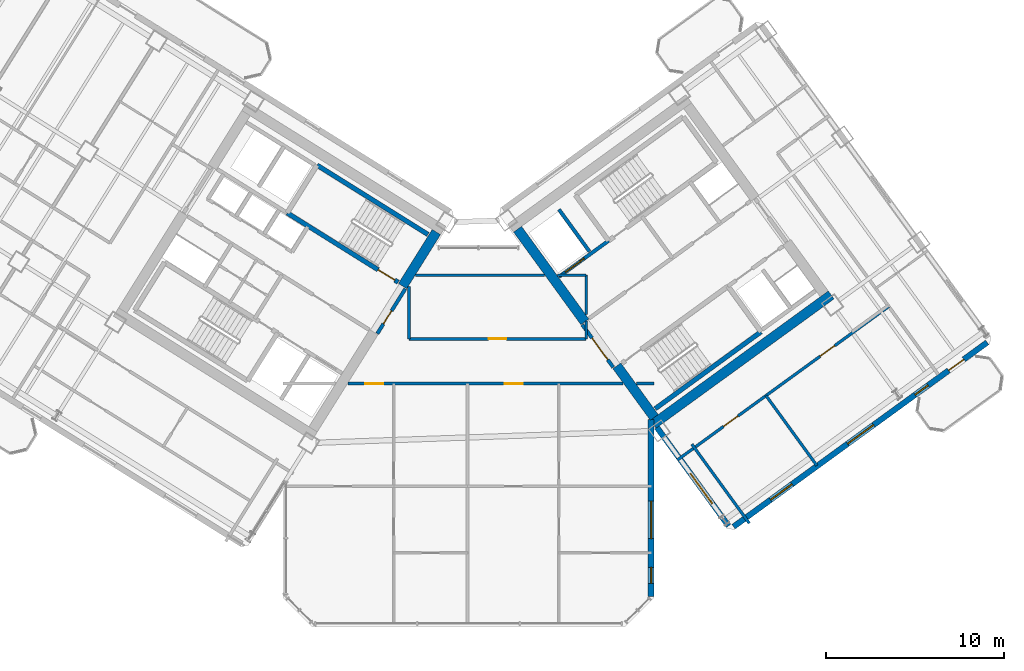
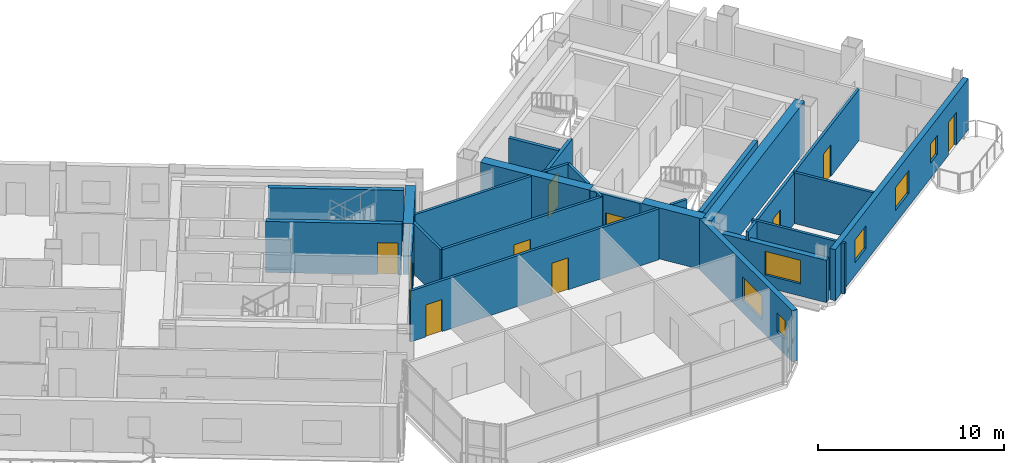
# One storey, part 19 of 25: 25 walls, 10 doors, 6 windows, 16 openings.
"""IFC4 building model written with IfcOpenShell, lengths in metres."""

from ifc_helpers import new_model, si_unit, direction, frame, frame_2d, origin, place, context, subcontext, project, spatial, rectangle, extrude, source, transform, mapped, material, layer, layer_set, type_object, element, fill, save


model = new_model("IFC4")

# Units and contexts
model_context = context("Model", 3, precision=1e-05, world=origin(), true_north=direction((0.0, 1.0)))
body_context = subcontext(model_context, "Body", "Model", "MODEL_VIEW")
ifc_project = project(units=[si_unit("LENGTHUNIT", "METRE"), si_unit("AREAUNIT", "SQUARE_METRE"), si_unit("VOLUMEUNIT", "CUBIC_METRE"), si_unit("PLANEANGLEUNIT", "RADIAN"), si_unit("MASSUNIT", "GRAM", prefix="KILO")], contexts=[model_context])

# Site, building, storey
site_placement = place(None, origin())
site = spatial("IfcSite", under=ifc_project, at=site_placement, CompositionType="ELEMENT")
building_placement = place(site_placement, origin())
building = spatial("IfcBuilding", under=site, at=building_placement, Name="Tlacorven Tower", CompositionType="ELEMENT")
storey_placement = place(building_placement, frame((0.0, 0.0, 155.10009765625)))
storey = spatial("IfcBuildingStorey", under=building, at=storey_placement, Name="L39", CompositionType="ELEMENT", Elevation=155.10009765625)

# Walls
ifc_material_1 = material(Name="Concrete C60/75", Category="concrete")
ifc_layer_1 = layer(ifc_material_1, 0.550048828125)
ifc_layer_set_1 = layer_set([ifc_layer_1], Name="Concrete C60/75")
wall_type_1 = type_object("IfcWallType", Name="WL-COR-550", PredefinedType="SHEAR", material=ifc_layer_set_1)
wall_1_placement = place(storey_placement, frame((40.194091796875, 23.92236328125, 0.0), z_axis=(0.0, 0.0, 1.0), x_axis=(-0.529888438328, -0.848067357541, 0.0)))
element("IfcWall", 1, at=wall_1_placement, inside=storey, type_object=wall_type_1, Name="L39 W core end wall E1.1", PredefinedType="SHEAR", context=body_context, shape_type="SweptSolid", body=[
    extrude(rectangle(XDim=3.574951171875, YDim=0.550048828125, at=frame_2d((1.78759765625, 0.0))), origin(), (0.0, 0.0, 1.0), 3.349853515625),
])
wall_2_placement = place(storey_placement, frame((52.35888671875, 13.1396484375, 0.0), z_axis=(0.0, 0.0, 1.0), x_axis=(0.809014896919, 0.587788139183, 0.0)))
element("IfcWall", 2, at=wall_2_placement, inside=storey, type_object=wall_type_1, Name="L39 E core shear wall S1", PredefinedType="SHEAR", context=body_context, shape_type="SweptSolid", body=[
    extrude(rectangle(XDim=12.340087890625, YDim=0.550048828125, at=frame_2d((6.169921875, 0.0))), origin(), (0.0, 0.0, 1.0), 3.349853515625),
])
wall_3_placement = place(storey_placement, frame((52.419677734375, 13.52392578125, 0.0), z_axis=(0.0, 0.0, 1.0), x_axis=(-0.587802113096, 0.809004744015, 0.0)))
element("IfcWall", 3, at=wall_3_placement, inside=storey, type_object=wall_type_1, Name="L39 E core end wall E1.1", PredefinedType="SHEAR", context=body_context, shape_type="SweptSolid", body=[
    extrude(rectangle(XDim=3.574951171875, YDim=0.550048828125, at=frame_2d((1.78759765625, 0.0))), origin(), (0.0, 0.0, 1.0), 3.349853515625),
])
wall_4_placement = place(storey_placement, frame((48.525634765625, 18.883544921875, 0.0), z_axis=(0.0, 0.0, 1.0), x_axis=(-0.587764933797, 0.809031756236, 0.0)))
element("IfcWall", 4, at=wall_4_placement, inside=storey, type_object=wall_type_1, Name="L39 E core end wall E1.2", PredefinedType="SHEAR", context=body_context, shape_type="SweptSolid", body=[
    extrude(rectangle(XDim=6.425048828125, YDim=0.550048828125, at=frame_2d((3.21240234375, 0.0))), origin(), (0.0, 0.0, 1.0), 3.349853515625),
])

# Wall, openings, doors
ifc_material_2 = material(Name="Gypsum plasterboard acoustic partition", Category="gypsum")
ifc_layer_2 = layer(ifc_material_2, 0.159912109375)
ifc_layer_set_2 = layer_set([ifc_layer_2], Name="Gypsum plasterboard acoustic partition")
wall_type_2 = type_object("IfcWallType", Name="WL-DEM-160", PredefinedType="PARTITIONING", material=ifc_layer_set_2)
wall_5_placement = place(storey_placement, frame((35.2373046875, 15.419921875, 0.0), z_axis=(0.0, 0.0, 1.0), x_axis=(1.0, 0.0, 0.0)))
wall_5 = element("IfcWall", 5, at=wall_5_placement, inside=storey, type_object=wall_type_2, Name="L39 Knuckle Corridor South Wall", PredefinedType="PARTITIONING", context=body_context, shape_type="SweptSolid", body=[
    extrude(rectangle(XDim=15.431640625, YDim=0.159912109375, at=frame_2d((7.7158203125, 0.0))), origin(), (0.0, 0.0, 1.0), 3.33984375),
])
opening_1_placement = place(wall_5_placement, frame((0.968994140625, 0.0, 0.0)))
opening_1 = element("IfcOpeningElement", 6, at=opening_1_placement, cuts=wall_5, Name="Opening D11", PredefinedType="OPENING", context=body_context, shape_type="SweptSolid", body=[
    extrude(rectangle(XDim=1.0, YDim=2.10009765625, at=frame_2d((0.5, 1.050048828125))), frame((0.0, 0.08984375, 0.0), z_axis=(0.0, -1.0, 0.0), x_axis=(1.0, 0.0, 0.0)), (0.0, 0.0, 1.0), 0.179931640625),
])
opening_2_placement = place(wall_5_placement, frame((8.798583984375, 0.0, 0.0)))
opening_2 = element("IfcOpeningElement", 7, at=opening_2_placement, cuts=wall_5, Name="Opening D11", PredefinedType="OPENING", context=body_context, shape_type="SweptSolid", body=[
    extrude(rectangle(XDim=1.0, YDim=2.10009765625, at=frame_2d((0.5, 1.050048828125))), frame((0.0, 0.08984375, 0.0), z_axis=(0.0, -1.0, 0.0), x_axis=(1.0, 0.0, 0.0)), (0.0, 0.0, 1.0), 0.179931640625),
])
ifc_material_3 = material(Name="Fire-rated steel door assembly", Category="steel")
door_type_1 = type_object("IfcDoorType", Name="DR-FLT-FD60-1000", OperationType="NOTDEFINED", PredefinedType="DOOR", material=ifc_material_3)
shared_shape_1 = source(origin(), body_context, "Body", "SweptSolid", [
    extrude(rectangle(XDim=1.0, YDim=2.10009765625, at=frame_2d((0.5, 1.050048828125))), frame((0.0, 0.02490234375, 0.0), z_axis=(0.0, -1.0, 0.0), x_axis=(1.0, 0.0, 0.0)), (0.0, 0.0, 1.0), 0.050048828125),
])
door_1_placement = place(opening_1_placement, frame((1.0, 0.0, 0.0), z_axis=(0.0, 0.0, 1.0), x_axis=(-1.0, 0.0, 0.0)))
door_1 = element("IfcDoor", 8, at=door_1_placement, inside=storey, type_object=door_type_1, Name="L39 door 051", OperationType="SINGLE_SWING_LEFT", OverallHeight=2.10009765625, OverallWidth=1.0, PredefinedType="DOOR", context=body_context, shape_type="MappedRepresentation", body=[
    mapped(shared_shape_1, transform((0.0, 0.0, 0.0), scale=1.0)),
])
fill(opening_1, door_1)
door_2_placement = place(opening_2_placement, frame((1.0, 0.0, 0.0), z_axis=(0.0, 0.0, 1.0), x_axis=(-1.0, 0.0, 0.0)))
door_2 = element("IfcDoor", 9, at=door_2_placement, inside=storey, type_object=door_type_1, Name="L39 door 056", OperationType="SINGLE_SWING_RIGHT", OverallHeight=2.10009765625, OverallWidth=1.0, PredefinedType="DOOR", context=body_context, shape_type="MappedRepresentation", body=[
    mapped(shared_shape_1, transform((0.0, 0.0, 0.0), scale=1.0)),
])
fill(opening_2, door_2)

# Wall
wall_6_placement = place(storey_placement, frame((51.41552734375, 15.419921875, 0.0), z_axis=(0.0, 0.0, 1.0), x_axis=(1.0, 0.0, 0.0)))
element("IfcWall", 10, at=wall_6_placement, inside=storey, type_object=wall_type_2, Name="L39 Knuckle Corridor South Wall", PredefinedType="PARTITIONING", context=body_context, shape_type="SweptSolid", body=[
    extrude(rectangle(XDim=0.984375, YDim=0.159912109375, at=frame_2d((0.4921875, 0.0))), origin(), (0.0, 0.0, 1.0), 3.33984375),
])

# Wall, opening, door
wall_7_placement = place(storey_placement, frame((38.64990234375, 17.929931640625, 0.0), z_axis=(0.0, 0.0, 1.0), x_axis=(1.0, 0.0, 0.0)))
wall_7 = element("IfcWall", 11, at=wall_7_placement, inside=storey, type_object=wall_type_2, Name="L39 partition 75", PredefinedType="PARTITIONING", context=body_context, shape_type="SweptSolid", body=[
    extrude(rectangle(XDim=9.9501953125, YDim=0.159912109375, at=frame_2d((4.97509765625, 0.0))), origin(), (0.0, 0.0, 1.0), 3.33984375),
])
opening_3_placement = place(wall_7_placement, frame((4.47509765625, 0.0, 0.0)))
opening_3 = element("IfcOpeningElement", 12, at=opening_3_placement, cuts=wall_7, Name="Opening D11", PredefinedType="OPENING", context=body_context, shape_type="SweptSolid", body=[
    extrude(rectangle(XDim=1.0, YDim=2.10009765625, at=frame_2d((0.5, 1.050048828125))), frame((0.0, 0.08984375, 0.0), z_axis=(0.0, -1.0, 0.0), x_axis=(1.0, 0.0, 0.0)), (0.0, 0.0, 1.0), 0.179931640625),
])
door_3_placement = place(opening_3_placement, origin())
door_3 = element("IfcDoor", 13, at=door_3_placement, inside=storey, type_object=door_type_1, Name="L39 door 046", OperationType="SINGLE_SWING_RIGHT", OverallHeight=2.10009765625, OverallWidth=1.0, PredefinedType="DOOR", context=body_context, shape_type="MappedRepresentation", body=[
    mapped(shared_shape_1, transform((0.0, 0.0, 0.0), scale=1.0)),
])
fill(opening_3, door_3)

# Walls
wall_8_placement = place(storey_placement, frame((38.64990234375, 17.929931640625, 0.0), z_axis=(0.0, 0.0, 1.0), x_axis=(0.0, 1.0, 0.0)))
element("IfcWall", 14, at=wall_8_placement, inside=storey, type_object=wall_type_2, Name="L39 partition 76", PredefinedType="PARTITIONING", context=body_context, shape_type="SweptSolid", body=[
    extrude(rectangle(XDim=2.951416015625, YDim=0.159912109375, at=frame_2d((1.4755859375, 0.0))), origin(), (0.0, 0.0, 1.0), 3.33984375),
])
wall_9_placement = place(storey_placement, frame((48.60009765625, 17.929931640625, 0.0), z_axis=(0.0, 0.0, 1.0), x_axis=(0.0, 1.0, 0.0)))
element("IfcWall", 15, at=wall_9_placement, inside=storey, type_object=wall_type_2, Name="L39 partition 77", PredefinedType="PARTITIONING", context=body_context, shape_type="SweptSolid", body=[
    extrude(rectangle(XDim=0.99267578125, YDim=0.159912109375, at=frame_2d((0.496337890625, 0.0))), origin(), (0.0, 0.0, 1.0), 3.33984375),
])
wall_10_placement = place(storey_placement, frame((48.60009765625, 19.295166015625, 0.0), z_axis=(0.0, 0.0, 1.0), x_axis=(0.0, 1.0, 0.0)))
element("IfcWall", 16, at=wall_10_placement, inside=storey, type_object=wall_type_2, Name="L39 partition 77", PredefinedType="PARTITIONING", context=body_context, shape_type="SweptSolid", body=[
    extrude(rectangle(XDim=2.204833984375, YDim=0.159912109375, at=frame_2d((1.1025390625, 0.0))), origin(), (0.0, 0.0, 1.0), 3.33984375),
])
wall_11_placement = place(storey_placement, frame((39.03662109375, 21.5, 0.0), z_axis=(0.0, 0.0, 1.0), x_axis=(1.0, 0.0, 0.0)))
element("IfcWall", 17, at=wall_11_placement, inside=storey, type_object=wall_type_2, Name="L39 partition 78", PredefinedType="PARTITIONING", context=body_context, shape_type="SweptSolid", body=[
    extrude(rectangle(XDim=7.21484375, YDim=0.159912109375, at=frame_2d((3.607421875, 0.0))), origin(), (0.0, 0.0, 1.0), 3.33984375),
])
wall_12_placement = place(storey_placement, frame((46.998046875, 21.5, 0.0), z_axis=(0.0, 0.0, 1.0), x_axis=(1.0, 0.0, 0.0)))
element("IfcWall", 18, at=wall_12_placement, inside=storey, type_object=wall_type_2, Name="L39 partition 78", PredefinedType="PARTITIONING", context=body_context, shape_type="SweptSolid", body=[
    extrude(rectangle(XDim=1.60205078125, YDim=0.159912109375, at=frame_2d((0.801025390625, 0.0))), origin(), (0.0, 0.0, 1.0), 3.33984375),
])

# Wall, openings, doors
wall_13_placement = place(storey_placement, frame((53.70458984375, 11.1259765625, 0.0), z_axis=(0.0, 0.0, 1.0), x_axis=(0.809014504436, 0.587788679384, 0.0)))
wall_13 = element("IfcWall", 19, at=wall_13_placement, inside=storey, type_object=wall_type_2, Name="L39 partition 98", PredefinedType="PARTITIONING", context=body_context, shape_type="SweptSolid", body=[
    extrude(rectangle(XDim=14.669921875, YDim=0.159912109375, at=frame_2d((7.3349609375, 0.0))), origin(), (0.0, 0.0, 1.0), 3.33984375),
])
opening_4_placement = place(wall_13_placement, frame((3.215087890625, 0.0, 0.0)))
opening_4 = element("IfcOpeningElement", 20, at=opening_4_placement, cuts=wall_13, Name="Opening D11", PredefinedType="OPENING", context=body_context, shape_type="SweptSolid", body=[
    extrude(rectangle(XDim=1.0, YDim=2.10009765625, at=frame_2d((0.5, 1.050048828125))), frame((0.0, 0.08984375, 0.0), z_axis=(0.0, -1.0, 0.0), x_axis=(1.0, 0.0, 0.0)), (0.0, 0.0, 1.0), 0.179931640625),
])
opening_5_placement = place(wall_13_placement, frame((9.9150390625, 0.0, 0.0)))
opening_5 = element("IfcOpeningElement", 21, at=opening_5_placement, cuts=wall_13, Name="Opening D11", PredefinedType="OPENING", context=body_context, shape_type="SweptSolid", body=[
    extrude(rectangle(XDim=1.0, YDim=2.10009765625, at=frame_2d((0.5, 1.050048828125))), frame((0.0, 0.08984375, 0.0), z_axis=(0.0, -1.0, 0.0), x_axis=(1.0, 0.0, 0.0)), (0.0, 0.0, 1.0), 0.179931640625),
])
door_4_placement = place(opening_4_placement, origin())
door_4 = element("IfcDoor", 22, at=door_4_placement, inside=storey, type_object=door_type_1, Name="L39 door 064", OperationType="SINGLE_SWING_RIGHT", OverallHeight=2.10009765625, OverallWidth=1.0, PredefinedType="DOOR", context=body_context, shape_type="MappedRepresentation", body=[
    mapped(shared_shape_1, transform((0.0, 0.0, 0.0), scale=1.0)),
])
fill(opening_4, door_4)
door_5_placement = place(opening_5_placement, origin())
door_5 = element("IfcDoor", 23, at=door_5_placement, inside=storey, type_object=door_type_1, Name="L39 door 065", OperationType="SINGLE_SWING_LEFT", OverallHeight=2.10009765625, OverallWidth=1.0, PredefinedType="DOOR", context=body_context, shape_type="MappedRepresentation", body=[
    mapped(shared_shape_1, transform((0.0, 0.0, 0.0), scale=1.0)),
])
fill(opening_5, door_5)

# Walls
wall_14_placement = place(storey_placement, frame((57.747314453125, 7.586181640625, 0.0), z_axis=(0.0, 0.0, 1.0), x_axis=(-0.587784893399, 0.809017255126, 0.0)))
element("IfcWall", 24, at=wall_14_placement, inside=storey, type_object=wall_type_2, Name="L39 EC West Throat Wall", PredefinedType="PARTITIONING", context=body_context, shape_type="SweptSolid", body=[
    extrude(rectangle(XDim=5.480224609375, YDim=0.159912109375, at=frame_2d((2.740234375, 0.0))), origin(), (0.0, 0.0, 1.0), 3.33984375),
])
wall_15_placement = place(storey_placement, frame((61.538818359375, 10.822998046875, 0.0), z_axis=(0.0, 0.0, 1.0), x_axis=(-0.587785532001, 0.809016791155, 0.0)))
element("IfcWall", 25, at=wall_15_placement, inside=storey, type_object=wall_type_2, Name="L39 EC Demising Wall 1", PredefinedType="PARTITIONING", context=body_context, shape_type="SweptSolid", body=[
    extrude(rectangle(XDim=4.85009765625, YDim=0.159912109375, at=frame_2d((2.425048828125, 0.0))), origin(), (0.0, 0.0, 1.0), 3.33984375),
])

# Wall, openings, door, windows
ifc_material_4 = material(Name="Precast concrete C45/55", Category="concrete")
ifc_layer_3 = layer(ifc_material_4, 0.320068359375)
ifc_layer_set_3 = layer_set([ifc_layer_3], Name="Precast concrete C45/55")
wall_type_3 = type_object("IfcWallType", Name="WL-EXT-320", PredefinedType="STANDARD", material=ifc_layer_set_3)
wall_16_placement = place(storey_placement, frame((71.097900390625, 17.73095703125, 0.0), z_axis=(0.0, 0.0, 1.0), x_axis=(-0.809021120468, -0.587779573171, 0.0)))
wall_16 = element("IfcWall", 26, at=wall_16_placement, inside=storey, type_object=wall_type_3, Name="L39 Masonry-Frame Recessed Facade Wall 6", PredefinedType="STANDARD", context=body_context, shape_type="SweptSolid", body=[
    extrude(rectangle(XDim=17.587646484375, YDim=0.320068359375, at=frame_2d((8.7939453125, 0.0))), origin(), (0.0, 0.0, 1.0), 3.349853515625),
])
opening_6_placement = place(wall_16_placement, frame((1.623779296875, 0.0, 0.0)))
opening_6 = element("IfcOpeningElement", 27, at=opening_6_placement, cuts=wall_16, Name="Opening D06", PredefinedType="OPENING", context=body_context, shape_type="SweptSolid", body=[
    extrude(rectangle(XDim=1.050048828125, YDim=2.14990234375, at=frame_2d((0.52490234375, 1.074951171875))), frame((0.0, 0.169921875, 0.0), z_axis=(0.0, -1.0, 0.0), x_axis=(1.0, 0.0, 0.0)), (0.0, 0.0, 1.0), 0.340087890625),
])
opening_7_placement = place(wall_16_placement, frame((4.103759765625, 0.0, 1.0)))
opening_7 = element("IfcOpeningElement", 28, at=opening_7_placement, cuts=wall_16, Name="Opening WN05", PredefinedType="OPENING", context=body_context, shape_type="SweptSolid", body=[
    extrude(rectangle(XDim=0.89990234375, YDim=1.25, at=frame_2d((0.449951171875, 0.625))), frame((0.0, 0.169921875, 0.0), z_axis=(0.0, -1.0, 0.0), x_axis=(1.0, 0.0, 0.0)), (0.0, 0.0, 1.0), 0.340087890625),
])
opening_8_placement = place(wall_16_placement, frame((7.878662109375, 0.0, 0.85009765625)))
opening_8 = element("IfcOpeningElement", 29, at=opening_8_placement, cuts=wall_16, Name="Opening WN01", PredefinedType="OPENING", context=body_context, shape_type="SweptSolid", body=[
    extrude(rectangle(XDim=1.800048828125, YDim=1.5, at=frame_2d((0.89990234375, 0.75))), frame((0.0, 0.169921875, 0.0), z_axis=(0.0, -1.0, 0.0), x_axis=(1.0, 0.0, 0.0)), (0.0, 0.0, 1.0), 0.340087890625),
])
opening_9_placement = place(wall_16_placement, frame((13.52880859375, 0.0, 0.85009765625)))
opening_9 = element("IfcOpeningElement", 30, at=opening_9_placement, cuts=wall_16, Name="Opening WN02", PredefinedType="OPENING", context=body_context, shape_type="SweptSolid", body=[
    extrude(rectangle(XDim=1.5, YDim=1.5, at=frame_2d((0.75, 0.75))), frame((0.0, 0.169921875, 0.0), z_axis=(0.0, -1.0, 0.0), x_axis=(1.0, 0.0, 0.0)), (0.0, 0.0, 1.0), 0.340087890625),
])
ifc_material_5 = material(Name="Powder-coated aluminium and timber door", Category="wood")
door_type_2 = type_object("IfcDoorType", Name="DR-EXT-BALC-1050", OperationType="NOTDEFINED", PredefinedType="DOOR", material=ifc_material_5)
shared_shape_2 = source(origin(), body_context, "Body", "SweptSolid", [
    extrude(rectangle(XDim=1.050048828125, YDim=2.14990234375, at=frame_2d((0.52490234375, 1.074951171875))), frame((0.0, 0.02490234375, 0.0), z_axis=(0.0, -1.0, 0.0), x_axis=(1.0, 0.0, 0.0)), (0.0, 0.0, 1.0), 0.050048828125),
])
door_6_placement = place(opening_6_placement, origin())
door_6 = element("IfcDoor", 31, at=door_6_placement, inside=storey, type_object=door_type_2, Name="L39 Outdoor Access Door BAL-L39-E-OUT", OperationType="SINGLE_SWING_LEFT", OverallHeight=2.14990234375, OverallWidth=1.050048828125, PredefinedType="DOOR", context=body_context, shape_type="MappedRepresentation", body=[
    mapped(shared_shape_2, transform((0.0, 0.0, 0.0), scale=1.0)),
])
fill(opening_6, door_6)
ifc_material_6 = material(Name="Dark solar low-E double glazing in anodised aluminium frame", Category="aluminium")
window_type_1 = type_object("IfcWindowType", Name="WN-APT-1800X1650", PartitioningType="SINGLE_PANEL", PredefinedType="WINDOW", material=ifc_material_6)
shared_shape_3 = source(origin(), body_context, "Body", "SweptSolid", [
    extrude(rectangle(XDim=1.800048828125, YDim=1.5, at=frame_2d((0.89990234375, 0.75))), frame((0.0, 0.030029296875, 0.0), z_axis=(0.0, -1.0, 0.0), x_axis=(1.0, 0.0, 0.0)), (0.0, 0.0, 1.0), 0.06005859375),
])
window_1_placement = place(opening_8_placement, origin())
window_1 = element("IfcWindow", 32, at=window_1_placement, inside=storey, type_object=window_type_1, Name="L39 Recessed Masonry-Frame Window L39-06.2", OverallHeight=1.5, OverallWidth=1.800048828125, PartitioningType="SINGLE_PANEL", PredefinedType="WINDOW", context=body_context, shape_type="MappedRepresentation", body=[
    mapped(shared_shape_3, transform((0.0, 0.0, 0.0), scale=1.0)),
])
fill(opening_8, window_1)
window_type_2 = type_object("IfcWindowType", Name="WN-APT-1500X1650", PartitioningType="SINGLE_PANEL", PredefinedType="WINDOW", material=ifc_material_6)
shared_shape_4 = source(origin(), body_context, "Body", "SweptSolid", [
    extrude(rectangle(XDim=1.5, YDim=1.5, at=frame_2d((0.75, 0.75))), frame((0.0, 0.030029296875, 0.0), z_axis=(0.0, -1.0, 0.0), x_axis=(1.0, 0.0, 0.0)), (0.0, 0.0, 1.0), 0.06005859375),
])
window_2_placement = place(opening_9_placement, origin())
window_2 = element("IfcWindow", 33, at=window_2_placement, inside=storey, type_object=window_type_2, Name="L39 Recessed Masonry-Frame Window L39-06.3", OverallHeight=1.5, OverallWidth=1.5, PartitioningType="SINGLE_PANEL", PredefinedType="WINDOW", context=body_context, shape_type="MappedRepresentation", body=[
    mapped(shared_shape_4, transform((0.0, 0.0, 0.0), scale=1.0)),
])
fill(opening_9, window_2)
window_type_3 = type_object("IfcWindowType", Name="WN-APT-0900X1350", PartitioningType="SINGLE_PANEL", PredefinedType="WINDOW", material=ifc_material_6)
shared_shape_5 = source(origin(), body_context, "Body", "SweptSolid", [
    extrude(rectangle(XDim=0.89990234375, YDim=1.25, at=frame_2d((0.449951171875, 0.625))), frame((0.0, 0.030029296875, 0.0), z_axis=(0.0, -1.0, 0.0), x_axis=(1.0, 0.0, 0.0)), (0.0, 0.0, 1.0), 0.06005859375),
])
window_3_placement = place(opening_7_placement, origin())
window_3 = element("IfcWindow", 34, at=window_3_placement, inside=storey, type_object=window_type_3, Name="L39 Recessed Masonry-Frame Window L39-06.1", OverallHeight=1.25, OverallWidth=0.89990234375, PartitioningType="SINGLE_PANEL", PredefinedType="WINDOW", context=body_context, shape_type="MappedRepresentation", body=[
    mapped(shared_shape_5, transform((0.0, 0.0, 0.0), scale=1.0)),
])
fill(opening_7, window_3)

# Wall, opening, window
wall_17_placement = place(storey_placement, frame((56.5810546875, 7.43896484375, 0.0), z_axis=(0.0, 0.0, 1.0), x_axis=(-0.587771678454, 0.809026856172, 0.0)))
wall_17 = element("IfcWall", 35, at=wall_17_placement, inside=storey, type_object=wall_type_3, Name="L39 Masonry-Frame Recessed Facade Wall 7", PredefinedType="STANDARD", context=body_context, shape_type="SweptSolid", body=[
    extrude(rectangle(XDim=6.82373046875, YDim=0.320068359375, at=frame_2d((3.411865234375, 0.0))), origin(), (0.0, 0.0, 1.0), 2.77490234375),
])
opening_10_placement = place(wall_17_placement, frame((1.53125, 0.0, 0.800048828125)))
opening_10 = element("IfcOpeningElement", 36, at=opening_10_placement, cuts=wall_17, Name="Opening WN04", PredefinedType="OPENING", context=body_context, shape_type="SweptSolid", body=[
    extrude(rectangle(XDim=2.10009765625, YDim=1.550048828125, at=frame_2d((1.050048828125, 0.77490234375))), frame((0.0, 0.169921875, 0.0), z_axis=(0.0, -1.0, 0.0), x_axis=(1.0, 0.0, 0.0)), (0.0, 0.0, 1.0), 0.340087890625),
])
window_type_4 = type_object("IfcWindowType", Name="WN-APT-2100X1750", PartitioningType="SINGLE_PANEL", PredefinedType="WINDOW", material=ifc_material_6)
shared_shape_6 = source(origin(), body_context, "Body", "SweptSolid", [
    extrude(rectangle(XDim=2.10009765625, YDim=1.550048828125, at=frame_2d((1.050048828125, 0.77490234375))), frame((0.0, 0.030029296875, 0.0), z_axis=(0.0, -1.0, 0.0), x_axis=(1.0, 0.0, 0.0)), (0.0, 0.0, 1.0), 0.06005859375),
])
window_4_placement = place(opening_10_placement, origin())
window_4 = element("IfcWindow", 37, at=window_4_placement, inside=storey, type_object=window_type_4, Name="L39 Recessed Masonry-Frame Window L39-07.1", OverallHeight=1.550048828125, OverallWidth=2.10009765625, PartitioningType="SINGLE_PANEL", PredefinedType="WINDOW", context=body_context, shape_type="MappedRepresentation", body=[
    mapped(shared_shape_6, transform((0.0, 0.0, 0.0), scale=1.0)),
])
fill(opening_10, window_4)

# Wall, openings, windows
wall_18_placement = place(storey_placement, frame((52.239990234375, 13.4140625, 0.0), z_axis=(0.0, 0.0, 1.0), x_axis=(0.0, -1.0, 0.0)))
wall_18 = element("IfcWall", 38, at=wall_18_placement, inside=storey, type_object=wall_type_3, Name="L39 Masonry-Frame Recessed Facade Wall 8", PredefinedType="STANDARD", context=body_context, shape_type="SweptSolid", body=[
    extrude(rectangle(XDim=9.94775390625, YDim=0.320068359375, at=frame_2d((4.973876953125, 0.0))), origin(), (0.0, 0.0, 1.0), 3.349853515625),
])
opening_11_placement = place(wall_18_placement, frame((4.58642578125, 0.0, 0.800048828125)))
opening_11 = element("IfcOpeningElement", 39, at=opening_11_placement, cuts=wall_18, Name="Opening WN04", PredefinedType="OPENING", context=body_context, shape_type="SweptSolid", body=[
    extrude(rectangle(XDim=2.10009765625, YDim=1.550048828125, at=frame_2d((1.050048828125, 0.77490234375))), frame((0.0, 0.169921875, 0.0), z_axis=(0.0, -1.0, 0.0), x_axis=(1.0, 0.0, 0.0)), (0.0, 0.0, 1.0), 0.340087890625),
])
opening_12_placement = place(wall_18_placement, frame((8.29833984375, 0.0, 1.0)))
opening_12 = element("IfcOpeningElement", 40, at=opening_12_placement, cuts=wall_18, Name="Opening WN05", PredefinedType="OPENING", context=body_context, shape_type="SweptSolid", body=[
    extrude(rectangle(XDim=0.89990234375, YDim=1.25, at=frame_2d((0.449951171875, 0.625))), frame((0.0, 0.169921875, 0.0), z_axis=(0.0, -1.0, 0.0), x_axis=(1.0, 0.0, 0.0)), (0.0, 0.0, 1.0), 0.340087890625),
])
window_5_placement = place(opening_11_placement, origin())
window_5 = element("IfcWindow", 41, at=window_5_placement, inside=storey, type_object=window_type_4, Name="L39 Recessed Masonry-Frame Window L39-08.1", OverallHeight=1.550048828125, OverallWidth=2.10009765625, PartitioningType="SINGLE_PANEL", PredefinedType="WINDOW", context=body_context, shape_type="MappedRepresentation", body=[
    mapped(shared_shape_6, transform((0.0, 0.0, 0.0), scale=1.0)),
])
fill(opening_11, window_5)
window_6_placement = place(opening_12_placement, origin())
window_6 = element("IfcWindow", 42, at=window_6_placement, inside=storey, type_object=window_type_3, Name="L39 Recessed Masonry-Frame Window L39-08.2", OverallHeight=1.25, OverallWidth=0.89990234375, PartitioningType="SINGLE_PANEL", PredefinedType="WINDOW", context=body_context, shape_type="MappedRepresentation", body=[
    mapped(shared_shape_5, transform((0.0, 0.0, 0.0), scale=1.0)),
])
fill(opening_12, window_6)

# Wall, opening, door
ifc_material_7 = material(Name="Concrete C40/50", Category="concrete")
ifc_layer_4 = layer(ifc_material_7, 0.199951171875)
ifc_layer_set_4 = layer_set([ifc_layer_4], Name="Concrete C40/50")
wall_type_4 = type_object("IfcWallType", Name="WL-SHF-200", PredefinedType="STANDARD", material=ifc_layer_set_4)
wall_19_placement = place(storey_placement, frame((47.0654296875, 21.4072265625, 0.0), z_axis=(0.0, 0.0, 1.0), x_axis=(0.809032984992, 0.587763242466, 0.0)))
wall_19 = element("IfcWall", 43, at=wall_19_placement, inside=storey, type_object=wall_type_4, Name="L39 Core E Firefighting Lift Shaft Front Wall", PredefinedType="STANDARD", context=body_context, shape_type="SweptSolid", body=[
    extrude(rectangle(XDim=3.447998046875, YDim=0.199951171875, at=frame_2d((1.72412109375, 0.0))), origin(), (0.0, 0.0, 1.0), 3.33984375),
])
opening_13_placement = place(wall_19_placement, frame((0.4580078125, 0.0, 0.0)))
opening_13 = element("IfcOpeningElement", 44, at=opening_13_placement, cuts=wall_19, Name="Opening LD03", PredefinedType="OPENING", context=body_context, shape_type="SweptSolid", body=[
    extrude(rectangle(XDim=1.300048828125, YDim=2.199951171875, at=frame_2d((0.64990234375, 1.10009765625))), frame((0.0, 0.10986328125, 0.0), z_axis=(0.0, -1.0, 0.0), x_axis=(1.0, 0.0, 0.0)), (0.0, 0.0, 1.0), 0.219970703125),
])
door_type_3 = type_object("IfcDoorType", Name="DR-LFT-SLID-1300", OperationType="DOUBLE_DOOR_SLIDING", PredefinedType="DOOR", material=ifc_material_3)
shared_shape_7 = source(origin(), body_context, "Body", "SweptSolid", [
    extrude(rectangle(XDim=1.300048828125, YDim=2.199951171875, at=frame_2d((0.64990234375, 1.10009765625))), frame((0.0, 0.02490234375, 0.0), z_axis=(0.0, -1.0, 0.0), x_axis=(1.0, 0.0, 0.0)), (0.0, 0.0, 1.0), 0.050048828125),
])
door_7_placement = place(opening_13_placement, origin())
door_7 = element("IfcDoor", 45, at=door_7_placement, inside=storey, type_object=door_type_3, Name="L39 Lift FFL-E1 Sliding Landing Door", OperationType="DOUBLE_DOOR_SLIDING", OverallHeight=2.199951171875, OverallWidth=1.300048828125, PredefinedType="DOOR", context=body_context, shape_type="MappedRepresentation", body=[
    mapped(shared_shape_7, transform((0.0, 0.0, 0.0), scale=1.0)),
])
fill(opening_13, door_7)

# Wall
wall_20_placement = place(storey_placement, frame((48.78564453125, 22.830078125, 0.0), z_axis=(0.0, 0.0, 1.0), x_axis=(-0.587783856777, 0.809018008275, 0.0)))
element("IfcWall", 46, at=wall_20_placement, inside=storey, type_object=wall_type_4, Name="L39 partition 36", PredefinedType="STANDARD", context=body_context, shape_type="SweptSolid", body=[
    extrude(rectangle(XDim=2.919921875, YDim=0.199951171875, at=frame_2d((1.4599609375, 0.0))), origin(), (0.0, 0.0, 1.0), 3.33984375),
])

# Wall, opening, door
wall_21_placement = place(storey_placement, frame((38.451416015625, 20.737060546875, 0.0), z_axis=(0.0, 0.0, 1.0), x_axis=(-0.529924799939, -0.848044637038, 0.0)))
wall_21 = element("IfcWall", 47, at=wall_21_placement, inside=storey, type_object=wall_type_4, Name="L39 partition 73", PredefinedType="STANDARD", context=body_context, shape_type="SweptSolid", body=[
    extrude(rectangle(XDim=2.9599609375, YDim=0.199951171875, at=frame_2d((1.47998046875, 0.0))), origin(), (0.0, 0.0, 1.0), 3.33984375),
])
opening_14_placement = place(wall_21_placement, frame((1.4599609375, 0.0, 0.0)))
opening_14 = element("IfcOpeningElement", 48, at=opening_14_placement, cuts=wall_21, Name="Opening D19", PredefinedType="OPENING", context=body_context, shape_type="SweptSolid", body=[
    extrude(rectangle(XDim=0.860107421875, YDim=2.050048828125, at=frame_2d((0.43017578125, 1.02490234375))), frame((0.0, 0.10986328125, 0.0), z_axis=(0.0, -1.0, 0.0), x_axis=(1.0, 0.0, 0.0)), (0.0, 0.0, 1.0), 0.219970703125),
])
door_type_4 = type_object("IfcDoorType", Name="DR-RSR-FD60-0860", OperationType="NOTDEFINED", PredefinedType="DOOR", material=ifc_material_3)
shared_shape_8 = source(origin(), body_context, "Body", "SweptSolid", [
    extrude(rectangle(XDim=0.860107421875, YDim=2.050048828125, at=frame_2d((0.43017578125, 1.02490234375))), frame((0.0, 0.02490234375, 0.0), z_axis=(0.0, -1.0, 0.0), x_axis=(1.0, 0.0, 0.0)), (0.0, 0.0, 1.0), 0.050048828125),
])
door_8_placement = place(opening_14_placement, frame((0.860107421875, 0.0, 0.0), z_axis=(0.0, 0.0, 1.0), x_axis=(-1.0, 0.0, 0.0)))
door_8 = element("IfcDoor", 49, at=door_8_placement, inside=storey, type_object=door_type_4, Name="L39 door 047", OperationType="SINGLE_SWING_LEFT", OverallHeight=2.050048828125, OverallWidth=0.860107421875, PredefinedType="DOOR", context=body_context, shape_type="MappedRepresentation", body=[
    mapped(shared_shape_8, transform((0.0, 0.0, 0.0), scale=1.0)),
])
fill(opening_14, door_8)

wall_22_placement = place(storey_placement, frame((50.119140625, 16.3330078125, 0.0), z_axis=(0.0, 0.0, 1.0), x_axis=(-0.587749856981, 0.809042709391, 0.0)))
wall_22 = element("IfcWall", 50, at=wall_22_placement, inside=storey, type_object=wall_type_4, Name="L39 partition 79", PredefinedType="STANDARD", context=body_context, shape_type="SweptSolid", body=[
    extrude(rectangle(XDim=2.9599609375, YDim=0.199951171875, at=frame_2d((1.47998046875, 0.0))), origin(), (0.0, 0.0, 1.0), 3.33984375),
])
opening_15_placement = place(wall_22_placement, frame((0.530029296875, 0.0, 0.0)))
opening_15 = element("IfcOpeningElement", 51, at=opening_15_placement, cuts=wall_22, Name="Opening D10", PredefinedType="OPENING", context=body_context, shape_type="SweptSolid", body=[
    extrude(rectangle(XDim=1.5, YDim=2.14990234375, at=frame_2d((0.75, 1.074951171875))), frame((0.0, 0.10986328125, 0.0), z_axis=(0.0, -1.0, 0.0), x_axis=(1.0, 0.0, 0.0)), (0.0, 0.0, 1.0), 0.219970703125),
])
door_type_5 = type_object("IfcDoorType", Name="DR-LOB-FD60-1500", OperationType="DOUBLE_DOOR_SINGLE_SWING", PredefinedType="DOOR", material=ifc_material_3)
shared_shape_9 = source(origin(), body_context, "Body", "SweptSolid", [
    extrude(rectangle(XDim=1.5, YDim=2.14990234375, at=frame_2d((0.75, 1.074951171875))), frame((0.0, 0.02490234375, 0.0), z_axis=(0.0, -1.0, 0.0), x_axis=(1.0, 0.0, 0.0)), (0.0, 0.0, 1.0), 0.050048828125),
])
door_9_placement = place(opening_15_placement, frame((1.5, 0.0, 0.0), z_axis=(0.0, 0.0, 1.0), x_axis=(-1.0, 0.0, 0.0)))
door_9 = element("IfcDoor", 52, at=door_9_placement, inside=storey, type_object=door_type_5, Name="L39 door 048", OperationType="DOUBLE_DOOR_SINGLE_SWING", OverallHeight=2.14990234375, OverallWidth=1.5, PredefinedType="DOOR", context=body_context, shape_type="MappedRepresentation", body=[
    mapped(shared_shape_9, transform((0.0, 0.0, 0.0), scale=1.0)),
])
fill(opening_15, door_9)

# Wall
ifc_material_8 = material(Name="Concrete C50/60", Category="concrete")
ifc_layer_5 = layer(ifc_material_8, 0.260009765625)
ifc_layer_set_5 = layer_set([ifc_layer_5], Name="Concrete C50/60")
wall_type_5 = type_object("IfcWallType", Name="WL-STW-260", PredefinedType="SHEAR", material=ifc_layer_set_5)
wall_23_placement = place(storey_placement, frame((39.720947265625, 23.787841796875, 0.0), z_axis=(0.0, 0.0, 1.0), x_axis=(-0.848054434086, 0.529909121291, 0.0)))
element("IfcWall", 53, at=wall_23_placement, inside=storey, type_object=wall_type_5, Name="L39 Stair W2 Far Shear Wall", PredefinedType="SHEAR", context=body_context, shape_type="SweptSolid", body=[
    extrude(rectangle(XDim=7.330078125, YDim=0.260009765625, at=frame_2d((3.6650390625, 0.0))), origin(), (0.0, 0.0, 1.0), 3.349853515625),
])

# Wall, opening, door
wall_24_placement = place(storey_placement, frame((38.04638671875, 21.10791015625, 0.0), z_axis=(0.0, 0.0, 1.0), x_axis=(-0.848054434086, 0.529909121291, 0.0)))
wall_24 = element("IfcWall", 54, at=wall_24_placement, inside=storey, type_object=wall_type_5, Name="L39 Stair W2 Lobby Shear Wall", PredefinedType="SHEAR", context=body_context, shape_type="SweptSolid", body=[
    extrude(rectangle(XDim=7.330078125, YDim=0.260009765625, at=frame_2d((3.6650390625, 0.0))), origin(), (0.0, 0.0, 1.0), 3.349853515625),
])
opening_16_placement = place(wall_24_placement, frame((0.219970703125, 0.0, 0.0)))
opening_16 = element("IfcOpeningElement", 55, at=opening_16_placement, cuts=wall_24, Name="Opening D07", PredefinedType="OPENING", context=body_context, shape_type="SweptSolid", body=[
    extrude(rectangle(XDim=1.10009765625, YDim=2.10009765625, at=frame_2d((0.550048828125, 1.050048828125))), frame((0.0, 0.14013671875, 0.0), z_axis=(0.0, -1.0, 0.0), x_axis=(1.0, 0.0, 0.0)), (0.0, 0.0, 1.0), 0.280029296875),
])
door_type_6 = type_object("IfcDoorType", Name="DR-STR-FD90-1100", OperationType="NOTDEFINED", PredefinedType="DOOR", material=ifc_material_3)
shared_shape_10 = source(origin(), body_context, "Body", "SweptSolid", [
    extrude(rectangle(XDim=1.10009765625, YDim=2.10009765625, at=frame_2d((0.550048828125, 1.050048828125))), frame((0.0, 0.02490234375, 0.0), z_axis=(0.0, -1.0, 0.0), x_axis=(1.0, 0.0, 0.0)), (0.0, 0.0, 1.0), 0.050048828125),
])
door_10_placement = place(opening_16_placement, origin())
door_10 = element("IfcDoor", 56, at=door_10_placement, inside=storey, type_object=door_type_6, Name="L39 Exit Stair W2 Fire Door", OperationType="SINGLE_SWING_RIGHT", OverallHeight=2.10009765625, OverallWidth=1.10009765625, PredefinedType="DOOR", context=body_context, shape_type="MappedRepresentation", body=[
    mapped(shared_shape_10, transform((0.0, 0.0, 0.0), scale=1.0)),
])
fill(opening_16, door_10)

# Wall
wall_25_placement = place(storey_placement, frame((52.47216796875, 14.01318359375, 0.0), z_axis=(0.0, 0.0, 1.0), x_axis=(0.809028366311, 0.587769599847, 0.0)))
element("IfcWall", 57, at=wall_25_placement, inside=storey, type_object=wall_type_5, Name="L39 Stair E2 Far Shear Wall", PredefinedType="SHEAR", context=body_context, shape_type="SweptSolid", body=[
    extrude(rectangle(XDim=7.330078125, YDim=0.260009765625, at=frame_2d((3.6650390625, 0.0))), origin(), (0.0, 0.0, 1.0), 3.349853515625),
])

save(model, "model.ifc")
